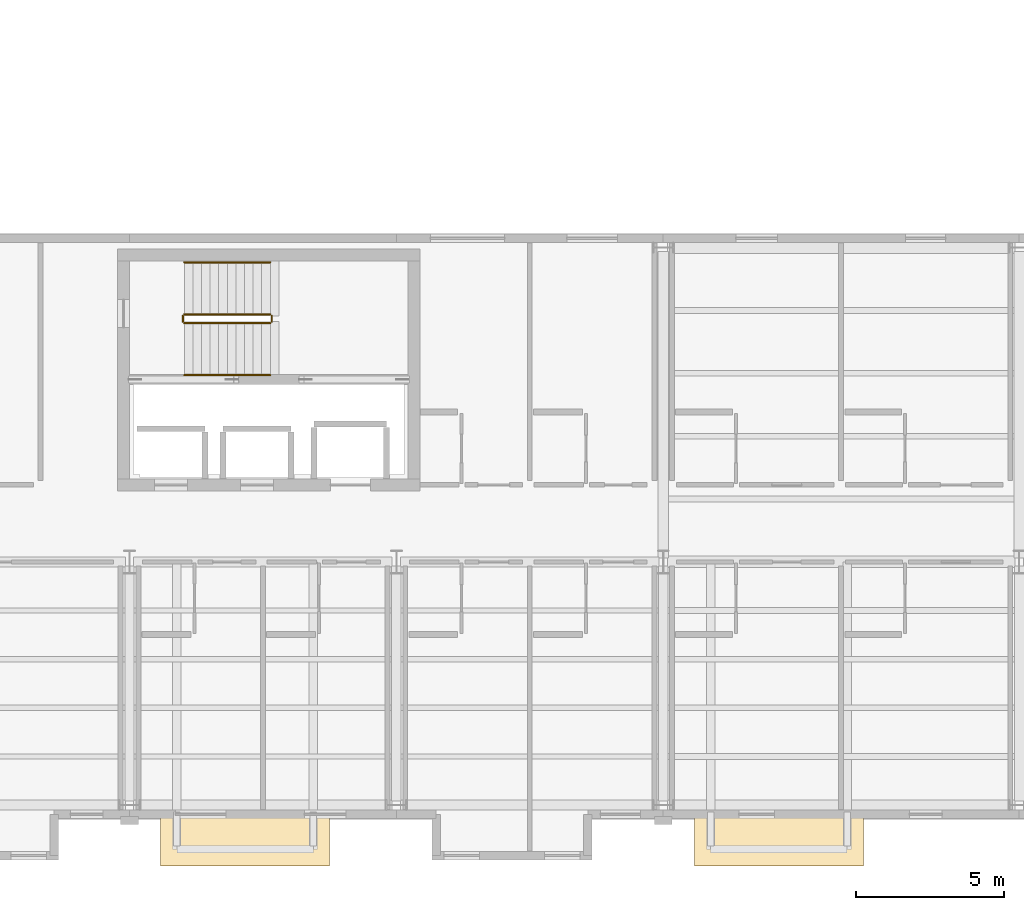
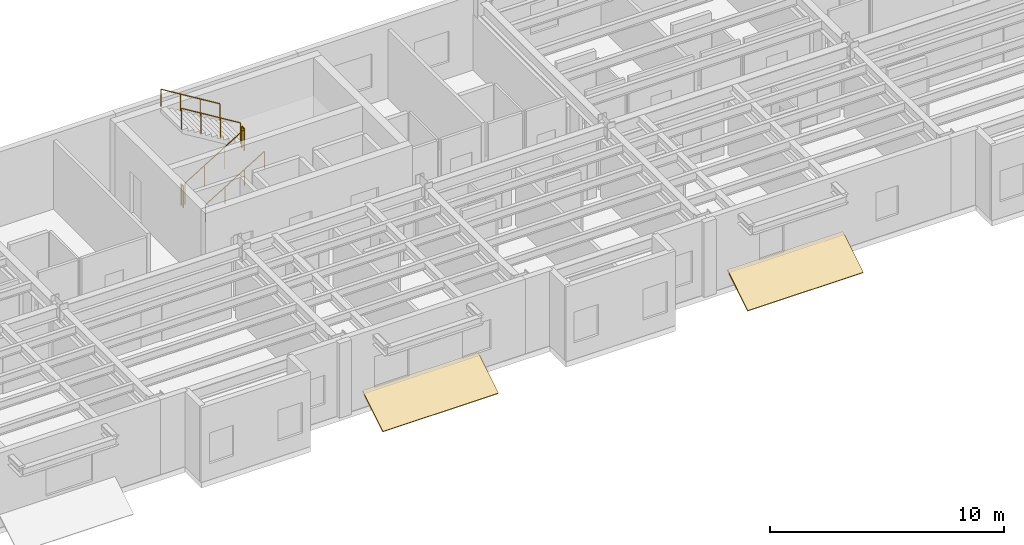
# One storey, part 43 of 46: 6 railings, 2 coverings.
"""IFC4 building model written with IfcOpenShell, lengths in metres."""

import ifcopenshell
import ifcopenshell.guid

model = None  # the IFC model being written
_history = None  # IfcOwnerHistory: only IFC2X3 demands one
_inside = {}  # id of a spatial element -> (the spatial element, [elements in it])
_under = {}  # id of a project, library or spatial element -> (it, [spatial elements below it])
_declared = {}  # id of a project -> (the project, [libraries it declares])
_typed = {}  # id of a type object -> (the type object, [elements of that type])
_made_of = {}  # id of a material, layer set ... -> (it, [elements and type objects made of it])


def new_model(schema):
    """Start an empty IFC model of exactly this schema.

    Asked for "IFC4X3", IfcOpenShell would pick the latest addendum, in which some entities
    have other attributes; the version numbers below select the first issue.
    IFC2X3 requires an IfcOwnerHistory on every rooted entity: one is made here for all.
    """
    global model, _history
    if schema == "IFC4X3":
        model = ifcopenshell.file(schema_version=(4, 3, 0, 0))
    else:
        model = ifcopenshell.file(schema=schema)
    _inside.clear()
    _under.clear()
    _declared.clear()
    _typed.clear()
    _made_of.clear()
    _history = None
    if model.schema == "IFC2X3":
        org = make("IfcOrganization", Name="unknown")
        user = make(
            "IfcPersonAndOrganization",
            ThePerson=make("IfcPerson", FamilyName="unknown"),
            TheOrganization=org,
        )
        app = make(
            "IfcApplication",
            ApplicationDeveloper=org,
            Version="unknown",
            ApplicationFullName="unknown",
            ApplicationIdentifier="unknown",
        )
        _history = make(
            "IfcOwnerHistory",
            OwningUser=user,
            OwningApplication=app,
            ChangeAction="ADDED",
            CreationDate=0,
        )
    return model


def make(cls, **values):
    """One entity of the class cls with the attributes given. An attribute that is None is left unset."""
    return model.create_entity(
        cls, **{name: value for name, value in values.items() if value is not None}
    )


def rooted(cls, **values):
    """An entity with a GlobalId (a new one), such as an element, a storey or a relation."""
    return make(cls, GlobalId=ifcopenshell.guid.new(), OwnerHistory=_history, **values)


def si_unit(unit_type, name, prefix=None):
    """IfcSIUnit, for example si_unit("LENGTHUNIT", "METRE", prefix="MILLI")."""
    return make("IfcSIUnit", UnitType=unit_type, Prefix=prefix, Name=name)


def assignment(units):
    """IfcUnitAssignment: the units of a project."""
    return None if units is None else make("IfcUnitAssignment", Units=units)


def point(xyz):
    """IfcCartesianPoint."""
    return None if xyz is None else make("IfcCartesianPoint", Coordinates=xyz)


def direction(xyz):
    """IfcDirection."""
    return None if xyz is None else make("IfcDirection", DirectionRatios=xyz)


def frame(location, z_axis=None, x_axis=None):
    """IfcAxis2Placement3D, a coordinate frame: its origin and axes. An axis left out is left unset."""
    return make(
        "IfcAxis2Placement3D",
        Location=point(location),
        Axis=direction(z_axis),
        RefDirection=direction(x_axis),
    )


def frame_2d(location, x_axis=None):
    """IfcAxis2Placement2D, a coordinate frame in the plane: its origin and x axis."""
    return make(
        "IfcAxis2Placement2D", Location=point(location), RefDirection=direction(x_axis)
    )


def origin():
    """The frame at (0, 0, 0) with its axes left unset."""
    return frame((0.0, 0.0, 0.0))


def origin_2d():
    """The frame at (0, 0) in the plane with its x axis left unset."""
    return frame_2d((0.0, 0.0))


def place(relative_to, where):
    """IfcLocalPlacement: puts the frame where relative to a parent placement (None: the world)."""
    return make(
        "IfcLocalPlacement", PlacementRelTo=relative_to, RelativePlacement=where
    )


def context(
    kind, dimensions, precision=None, world=None, true_north=None, identifier=None
):
    """IfcGeometricRepresentationContext, for example the 3D "Model" context."""
    return make(
        "IfcGeometricRepresentationContext",
        ContextIdentifier=identifier,
        ContextType=kind,
        CoordinateSpaceDimension=dimensions,
        Precision=precision,
        WorldCoordinateSystem=world,
        TrueNorth=true_north,
    )


def subcontext(parent, identifier, kind, view, scale=None):
    """IfcGeometricRepresentationSubContext, for example "Body" below "Model"."""
    return make(
        "IfcGeometricRepresentationSubContext",
        ContextIdentifier=identifier,
        ContextType=kind,
        ParentContext=parent,
        TargetScale=scale,
        TargetView=view,
    )


def project(units=None, contexts=None):
    """IfcProject with its units and contexts."""
    return rooted(
        "IfcProject",
        Name="project",
        RepresentationContexts=contexts,
        UnitsInContext=assignment(units),
    )


def spatial(cls, under=None, at=None, **own):
    """A site, building, storey or space (cls), placed at a placement, below another one or the project."""
    s = rooted(cls, ObjectPlacement=at, **own)
    if under is not None:
        _under.setdefault(under.id(), (under, []))[1].append(s)
    return s


def polyline(points):
    """IfcPolyline through the points."""
    return make("IfcPolyline", Points=[point(p) for p in points])


def profile(cls, at=None, kind="AREA", **sizes):
    """A parametric profile (cls). Its sizes go by their IFC names, for example OverallWidth=200.0."""
    return make(cls, ProfileType=kind, Position=at, **sizes)


def circle(**sizes):
    """IfcCircleProfileDef."""
    return profile("IfcCircleProfileDef", **sizes)


def outline(outer, holes=None, kind="AREA"):
    """IfcArbitraryClosedProfileDef: a profile drawn as a closed curve; with holes, ...WithVoids."""
    if holes is None:
        return make("IfcArbitraryClosedProfileDef", ProfileType=kind, OuterCurve=outer)
    return make(
        "IfcArbitraryProfileDefWithVoids",
        ProfileType=kind,
        OuterCurve=outer,
        InnerCurves=holes,
    )


def extrude(swept, where, along, depth):
    """IfcExtrudedAreaSolid: the profile swept, set in the frame where, extruded along a direction by depth."""
    return make(
        "IfcExtrudedAreaSolid",
        SweptArea=swept,
        Position=where,
        ExtrudedDirection=direction(along),
        Depth=depth,
    )


def shape(context_of_items, identifier, shape_type, items):
    """IfcShapeRepresentation: the items that make up one representation, for example the "Body"."""
    return make(
        "IfcShapeRepresentation",
        ContextOfItems=context_of_items,
        RepresentationIdentifier=identifier,
        RepresentationType=shape_type,
        Items=items,
    )


def material(Name=None, Category=None):
    """IfcMaterial."""
    return make("IfcMaterial", Name=Name, Category=Category)


def layer(
    of_material, thickness, ventilated=None, Name=None, Category=None, Priority=None
):
    """IfcMaterialLayer: one layer of a wall or slab, of a material (None: an air gap)."""
    return make(
        "IfcMaterialLayer",
        Material=of_material,
        LayerThickness=thickness,
        IsVentilated=ventilated,
        Name=Name,
        Category=Category,
        Priority=Priority,
    )


def layer_set(layers, Name=None):
    """IfcMaterialLayerSet."""
    return make("IfcMaterialLayerSet", MaterialLayers=layers, LayerSetName=Name)


def made_of(thing, what):
    """Note that an element or type object is made of a material, layer set ...; save() writes the relation."""
    if what is not None:
        _made_of.setdefault(what.id(), (what, []))[1].append(thing)
    return thing


def type_object(cls, material=None, **own):
    """A type object (cls), such as IfcWallType, which elements share."""
    return made_of(rooted(cls, **own), material)


def element(
    cls,
    number,
    at=None,
    inside=None,
    cuts=None,
    type_object=None,
    material=None,
    context=None,
    identifier="Body",
    shape_type=None,
    held_by="IfcProductDefinitionShape",
    body=None,
    shapes=None,
    **own,
):
    """One element of the class cls, such as IfcWall. Its Tag is "e" and its number.

    at: its placement. inside: the storey or other place that contains it. cuts: it is an
    opening in that element (IfcRelVoidsElement). A single representation is given by context,
    identifier, shape_type and body (its items); several are given by shapes. held_by: the class
    of the entity that holds the representations. save() writes the other relations.
    """
    e = rooted(cls, Tag="e%d" % number, ObjectPlacement=at, **own)
    if body is not None:
        shapes = [shape(context, identifier, shape_type, body)]
    if shapes is not None:
        e.Representation = make(held_by, Representations=shapes)
    if inside is not None:
        _inside.setdefault(inside.id(), (inside, []))[1].append(e)
    if cuts is not None:
        rooted(
            "IfcRelVoidsElement", RelatingBuildingElement=cuts, RelatedOpeningElement=e
        )
    if type_object is not None:
        _typed.setdefault(type_object.id(), (type_object, []))[1].append(e)
    return made_of(e, material)


def aggregate(whole, parts):
    """IfcRelAggregates: a whole, such as a stair, and the parts it consists of."""
    return rooted("IfcRelAggregates", RelatingObject=whole, RelatedObjects=parts)


def save(model, path):
    """Write the relations noted so far, then the file.

    IfcRelAggregates (storeys below a building ...), IfcRelContainedInSpatialStructure (elements
    in a storey), IfcRelDefinesByType, IfcRelAssociatesMaterial and IfcRelDeclares: one each for
    every whole, place, type object, material and project.
    """
    for whole, parts in _under.values():
        aggregate(whole, parts)
    for where, things in _inside.values():
        rooted(
            "IfcRelContainedInSpatialStructure",
            RelatedElements=things,
            RelatingStructure=where,
        )
    for kind, things in _typed.values():
        rooted("IfcRelDefinesByType", RelatedObjects=things, RelatingType=kind)
    for what, things in _made_of.values():
        rooted("IfcRelAssociatesMaterial", RelatedObjects=things, RelatingMaterial=what)
    for by, libraries in _declared.values():
        rooted("IfcRelDeclares", RelatingContext=by, RelatedDefinitions=libraries)
    model.write(path)


model = new_model("IFC4")

# Units and contexts
model_context = context("Model", 3, precision=1e-05, world=origin(), true_north=direction((0.0, 1.0)))
body_context = subcontext(model_context, "Body", "Model", "MODEL_VIEW")
ifc_project = project(units=[si_unit("LENGTHUNIT", "METRE"), si_unit("AREAUNIT", "SQUARE_METRE"), si_unit("VOLUMEUNIT", "CUBIC_METRE"), si_unit("PLANEANGLEUNIT", "RADIAN"), si_unit("MASSUNIT", "GRAM", prefix="KILO")], contexts=[model_context])

# Site, building, storey
site_placement = place(None, origin())
site = spatial("IfcSite", under=ifc_project, at=site_placement, CompositionType="ELEMENT")
building_placement = place(site_placement, origin())
building = spatial("IfcBuilding", under=site, at=building_placement, Name="Sollismere Congress Hotel", CompositionType="ELEMENT")
storey_placement = place(building_placement, frame((0.0, 0.0, 19.5)))
storey = spatial("IfcBuildingStorey", under=building, at=storey_placement, Name="L04", CompositionType="ELEMENT", Elevation=19.5)

# Coverings
ifc_material_1 = material(Name="Standing-Seam Titanium-Zinc Roof Assembly")
ifc_layer = layer(ifc_material_1, 0.054931640625, Name="Standing-Seam Titanium-Zinc Roof Assembly")
ifc_layer_set = layer_set([ifc_layer], Name="Standing-Seam Titanium-Zinc Roof Assembly")
covering_type = type_object("IfcCoveringType", Name="CV-RFZNC", PredefinedType="ROOFING", material=ifc_layer_set)
for number, where, z_axis, x_axis, name in (
    (1, (95.050048828125, -2.008056640625, -0.363037109375), (0.0, -0.525123792841, 0.851025852834), (1.0, 0.0, 0.0), "Cikma bay sacak hood SL-CKH-03"),
    (2, (113.050048828125, -2.008056640625, -0.363037109375), (0.0, -0.525123792841, 0.851025852834), (1.0, 0.0, 0.0), "Cikma bay sacak hood SL-CKH-04"),
):
    element("IfcCovering", number, at=place(storey_placement, frame(where, z_axis=z_axis, x_axis=x_axis)), inside=storey, type_object=covering_type, Name=name, PredefinedType="ROOFING", context=body_context, shape_type="SweptSolid", body=[
        extrude(outline(polyline([(0.0, 0.0), (5.699951171875, 0.0), (5.699951171875, 2.056396484375), (0.0, 2.056396484375), (0.0, 0.0)])), origin(), (0.0, 0.0, 1.0), 0.080078125),
    ])

# Railings
ifc_material_2 = material(Name="Steel ASTM A500 Grade C", Category="steel")
railing_type_1 = type_object("IfcRailingType", Name="RL-GRD112", PredefinedType="GUARDRAIL", material=ifc_material_2)
railing_1_placement = place(storey_placement, frame((95.85009765625, 16.25, 0.17724609375)))
element("IfcRailing", 3, at=railing_1_placement, inside=storey, type_object=railing_type_1, Name="RLG-RG-ST-02-L04-1", PredefinedType="GUARDRAIL", context=body_context, shape_type="SweptSolid", body=[
    extrude(circle(Radius=0.02392578125, at=origin_2d()), frame((0.0, 0.0, 1.09619140625), z_axis=(0.853210801645, 0.0, 0.521566225858), x_axis=(0.0, 1.0, 0.0)), (0.0, 0.0, 1.0), 3.39892578125),
    extrude(circle(Radius=0.02099609375, at=origin_2d()), origin(), (0.0, 0.0, 1.0), 1.072021484375),
    extrude(circle(Radius=0.02099609375, at=origin_2d()), frame((0.966552734375, 0.0, 0.5908203125)), (0.0, 0.0, 1.0), 1.072021484375),
    extrude(circle(Radius=0.02099609375, at=origin_2d()), frame((1.933349609375, 0.0, 1.181884765625)), (0.0, 0.0, 1.0), 1.072021484375),
    extrude(circle(Radius=0.02099609375, at=origin_2d()), frame((2.89990234375, 0.0, 1.772705078125)), (0.0, 0.0, 1.0), 1.072021484375),
])
railing_2_placement = place(storey_placement, frame((98.800048828125, 16.300048828125, 1.949951171875)))
element("IfcRailing", 4, at=railing_2_placement, inside=storey, type_object=railing_type_1, Name="RLG-RG-ST-02-L04-2", PredefinedType="GUARDRAIL", context=body_context, shape_type="SweptSolid", body=[
    extrude(circle(Radius=0.02392578125, at=origin_2d()), frame((0.0, 0.0, 1.09619140625), z_axis=(0.0, 1.0, 0.0), x_axis=(-1.0, 0.0, 0.0)), (0.0, 0.0, 1.0), 0.199951171875),
    extrude(circle(Radius=0.02099609375, at=origin_2d()), origin(), (0.0, 0.0, 1.0), 1.072021484375),
    extrude(circle(Radius=0.02099609375, at=origin_2d()), frame((0.0, 0.199951171875, 0.0)), (0.0, 0.0, 1.0), 1.072021484375),
])
railing_3_placement = place(storey_placement, frame((98.75, 16.550048828125, 2.127197265625)))
element("IfcRailing", 5, at=railing_3_placement, inside=storey, type_object=railing_type_1, Name="RLG-RG-ST-02-L04-3", PredefinedType="GUARDRAIL", context=body_context, shape_type="SweptSolid", body=[
    extrude(circle(Radius=0.02392578125, at=origin_2d()), frame((0.0, 0.0, 1.09619140625), z_axis=(-0.853210801645, 0.0, 0.521566225858), x_axis=(0.0, -1.0, 0.0)), (0.0, 0.0, 1.0), 3.39892578125),
    extrude(circle(Radius=0.02099609375, at=origin_2d()), origin(), (0.0, 0.0, 1.0), 1.072021484375),
    extrude(circle(Radius=0.02099609375, at=origin_2d()), frame((-0.966552734375, 0.0, 0.5908203125)), (0.0, 0.0, 1.0), 1.072021484375),
    extrude(circle(Radius=0.02099609375, at=origin_2d()), frame((-1.933349609375, 0.0, 1.181884765625)), (0.0, 0.0, 1.0), 1.072021484375),
    extrude(circle(Radius=0.02099609375, at=origin_2d()), frame((-2.89990234375, 0.0, 1.772705078125)), (0.0, 0.0, 1.0), 1.072021484375),
])
railing_4_placement = place(storey_placement, frame((95.800048828125, 16.300048828125, 0.0)))
element("IfcRailing", 6, at=railing_4_placement, inside=storey, type_object=railing_type_1, Name="RLG-RG-ST-02-L04-4", PredefinedType="GUARDRAIL", context=body_context, shape_type="SweptSolid", body=[
    extrude(circle(Radius=0.02392578125, at=origin_2d()), frame((0.0, 0.0, 1.09619140625), z_axis=(0.0, 1.0, 0.0), x_axis=(-1.0, 0.0, 0.0)), (0.0, 0.0, 1.0), 0.199951171875),
    extrude(circle(Radius=0.02099609375, at=origin_2d()), origin(), (0.0, 0.0, 1.0), 1.072021484375),
    extrude(circle(Radius=0.02099609375, at=origin_2d()), frame((0.0, 0.199951171875, 0.0)), (0.0, 0.0, 1.0), 1.072021484375),
])
ifc_material_3 = material(Name="Brushed Architectural Bronze")
railing_type_2 = type_object("IfcRailingType", Name="RL-HND90", PredefinedType="HANDRAIL", material=ifc_material_3)
railing_5_placement = place(storey_placement, frame((95.85009765625, 14.5, 0.33056640625)))
element("IfcRailing", 7, at=railing_5_placement, inside=storey, type_object=railing_type_2, Name="RLG-RH-ST-02-L04-1", PredefinedType="HANDRAIL", context=body_context, shape_type="SweptSolid", body=[
    extrude(circle(Radius=0.02392578125, at=origin_2d()), frame((0.0, 0.0, 0.8759765625), z_axis=(0.853210801645, 0.0, 0.521566225858), x_axis=(0.0, 1.0, 0.0)), (0.0, 0.0, 1.0), 3.39892578125),
    extrude(circle(Radius=0.02099609375, at=origin_2d()), origin(), (0.0, 0.0, 1.0), 0.851806640625),
    extrude(circle(Radius=0.02099609375, at=origin_2d()), frame((0.966552734375, 0.0, 0.5908203125)), (0.0, 0.0, 1.0), 0.851806640625),
    extrude(circle(Radius=0.02099609375, at=origin_2d()), frame((1.933349609375, 0.0, 1.181884765625)), (0.0, 0.0, 1.0), 0.851806640625),
    extrude(circle(Radius=0.02099609375, at=origin_2d()), frame((2.89990234375, 0.0, 1.772705078125)), (0.0, 0.0, 1.0), 0.851806640625),
])
railing_6_placement = place(storey_placement, frame((98.75, 18.300048828125, 2.280517578125)))
element("IfcRailing", 8, at=railing_6_placement, inside=storey, type_object=railing_type_2, Name="RLG-RH-ST-02-L04-2", PredefinedType="HANDRAIL", context=body_context, shape_type="SweptSolid", body=[
    extrude(circle(Radius=0.02392578125, at=origin_2d()), frame((0.0, 0.0, 0.8759765625), z_axis=(-0.853210801645, 0.0, 0.521566225858), x_axis=(0.0, -1.0, 0.0)), (0.0, 0.0, 1.0), 3.39892578125),
    extrude(circle(Radius=0.02099609375, at=origin_2d()), origin(), (0.0, 0.0, 1.0), 0.851806640625),
    extrude(circle(Radius=0.02099609375, at=origin_2d()), frame((-0.966552734375, 0.0, 0.5908203125)), (0.0, 0.0, 1.0), 0.851806640625),
    extrude(circle(Radius=0.02099609375, at=origin_2d()), frame((-1.933349609375, 0.0, 1.181884765625)), (0.0, 0.0, 1.0), 0.851806640625),
    extrude(circle(Radius=0.02099609375, at=origin_2d()), frame((-2.89990234375, 0.0, 1.772705078125)), (0.0, 0.0, 1.0), 0.851806640625),
])

save(model, "model.ifc")
